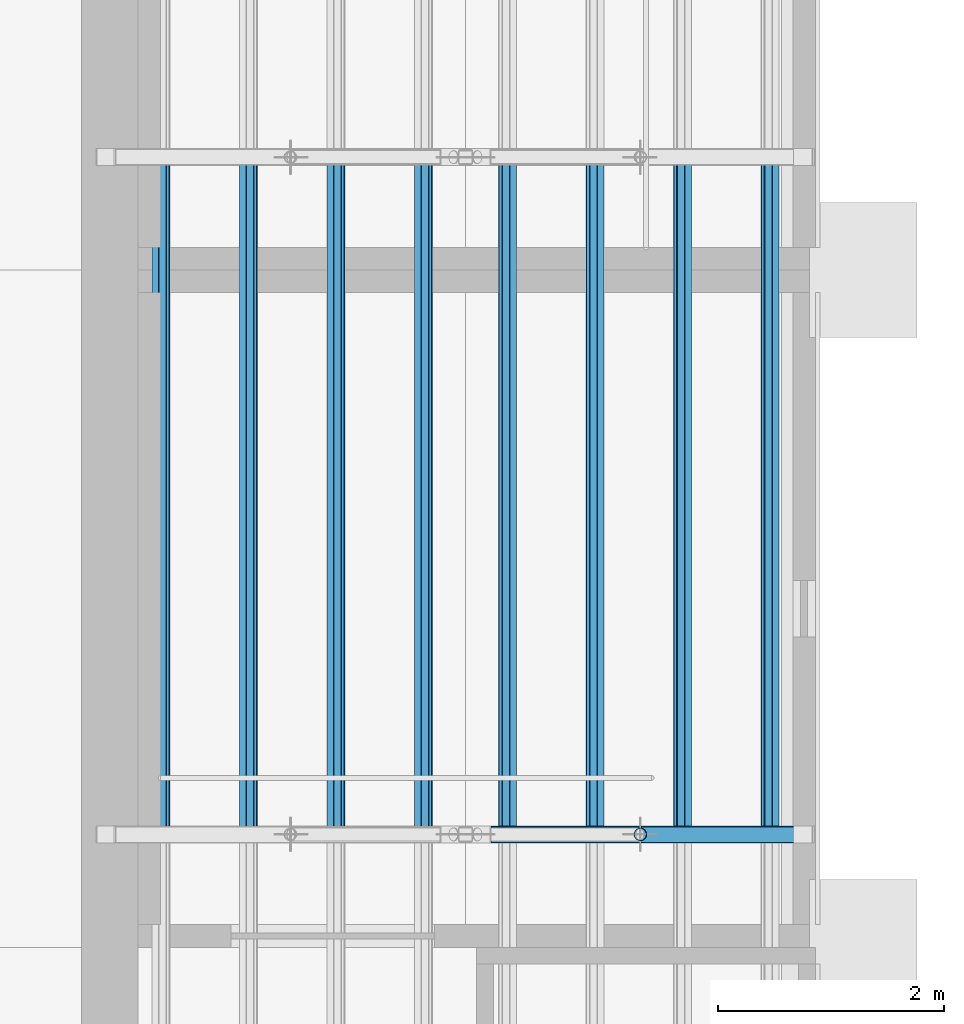
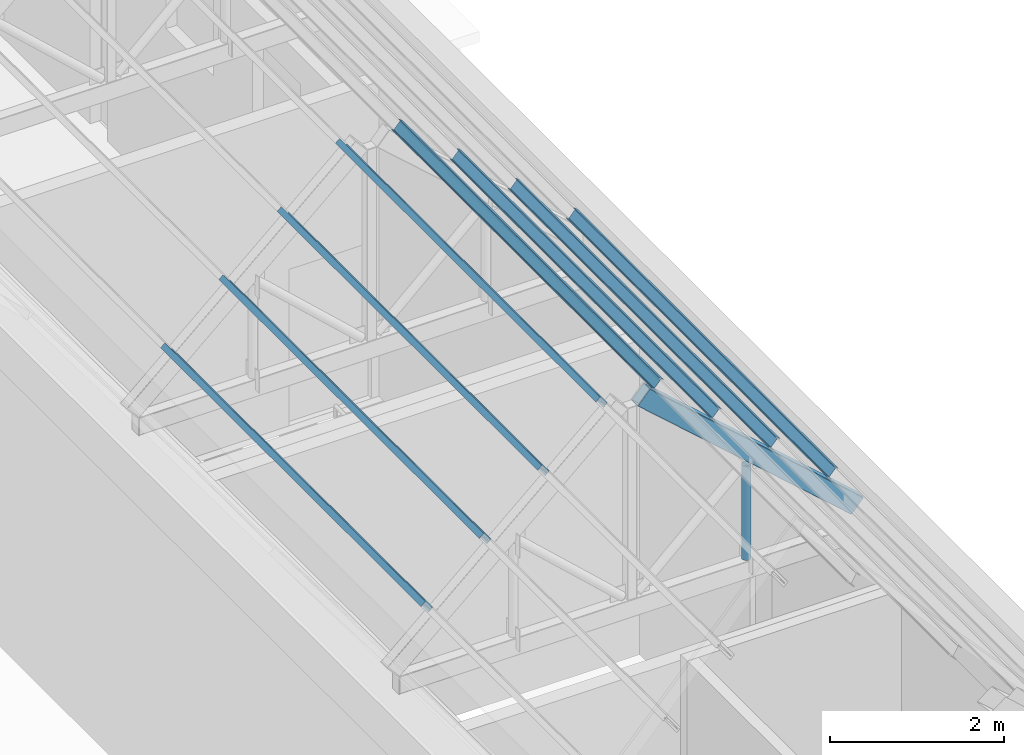
# One storey, part 34 of 118: 10 members.
"""IFC4 building model written with IfcOpenShell, lengths in metres."""

from ifc_helpers import new_model, si_unit, direction, frame, origin, origin_2d, place, context, subcontext, project, spatial, hollow_rectangle, hollow_circle, i_section, extrude, material, material_profile, profile_set, type_object, element, save


model = new_model("IFC4")

# Units and contexts
model_context = context("Model", 3, precision=1e-05, world=origin(), true_north=direction((0.0, 1.0)))
body_context = subcontext(model_context, "Body", "Model", "MODEL_VIEW")
ifc_project = project(units=[si_unit("LENGTHUNIT", "METRE"), si_unit("AREAUNIT", "SQUARE_METRE"), si_unit("VOLUMEUNIT", "CUBIC_METRE"), si_unit("PLANEANGLEUNIT", "RADIAN"), si_unit("MASSUNIT", "GRAM", prefix="KILO")], contexts=[model_context])

# Site, building, storey
site_placement = place(None, origin())
site = spatial("IfcSite", under=ifc_project, at=site_placement, CompositionType="ELEMENT")
building_placement = place(site_placement, origin())
building = spatial("IfcBuilding", under=site, at=building_placement, Name="Saffron Lane Theatres", CompositionType="ELEMENT")
storey_placement = place(building_placement, frame((0.0, 0.0, 16.5)))
storey = spatial("IfcBuildingStorey", under=building, at=storey_placement, Name="L03", CompositionType="ELEMENT", Elevation=16.5)

# Members
ifc_material_1 = material(Name="Steel Grade 350", Category="steel")
ifc_material_profile_1 = material_profile(ifc_material_1, i_section(OverallWidth=0.074951171875, OverallDepth=0.155029296875, WebThickness=0.006103515625, FlangeThickness=0.009521484375, FilletRadius=0.008056640625, at=origin_2d()))
ifc_profile_set_1 = profile_set([ifc_material_profile_1], Name="Steel Grade 350")
member_type_1 = type_object("IfcMemberType", Name="ST-STUDIO PURLIN 150UB18.0", PredefinedType="PURLIN", material=ifc_profile_set_1)
for number, where, z_axis, x_axis, name in (
    (1, (53.59716796875, 61.0, 5.544677734375), (0.0, 1.0, 0.0), (-0.748268687469, 0.0, 0.663395787863), "SB2-U58"),
    (2, (52.822265625, 61.0, 6.23193359375), (0.0, 1.0, 0.0), (-0.748268687469, 0.0, 0.663395787863), "SB2-U64"),
    (3, (52.04736328125, 61.0, 6.9189453125), (0.0, 1.0, 0.0), (-0.748268687469, 0.0, 0.663395787863), "SB2-U70"),
    (4, (51.272216796875, 61.0, 7.60595703125), (0.0, 1.0, 0.0), (-0.748268687469, 0.0, 0.663395787863), "SB2-U76"),
    (5, (48.20263671875, 61.0, 5.544677734375), (0.0, 1.0, 0.0), (-0.748268687469, 0.0, -0.663395787863), "SB2-U82"),
    (6, (48.977783203125, 61.0, 6.23193359375), (0.0, 1.0, 0.0), (-0.748268687469, 0.0, -0.663395787863), "SB2-U88"),
    (7, (49.752685546875, 61.0, 6.9189453125), (0.0, 1.0, 0.0), (-0.748268687469, 0.0, -0.663395787863), "SB2-U94"),
    (8, (50.52783203125, 61.0, 7.60595703125), (0.0, 1.0, 0.0), (-0.748268687469, 0.0, -0.663395787863), "SB2-U100"),
):
    element("IfcMember", number, at=place(storey_placement, frame(where, z_axis=z_axis, x_axis=x_axis)), inside=storey, type_object=member_type_1, Name=name, PredefinedType="PURLIN", context=body_context, shape_type="SweptSolid", body=[
        extrude(i_section(OverallWidth=0.074951171875, OverallDepth=0.155029296875, WebThickness=0.006103515625, FlangeThickness=0.009521484375, FilletRadius=0.008056640625, at=origin_2d()), origin(), (0.0, 0.0, 1.0), 6.0),
    ])
ifc_material_2 = material(Name="Steel Grade 350", Category="steel")
ifc_material_profile_2 = material_profile(ifc_material_2, hollow_rectangle(XDim=0.14990234375, YDim=0.25, WallThickness=0.009033203125, InnerFilletRadius=0.00439453125, OuterFilletRadius=0.013427734375, at=origin_2d()))
ifc_profile_set_2 = profile_set([ifc_material_profile_2], Name="Steel Grade 350")
member_type_2 = type_object("IfcMemberType", Name="ST-STUDIO TRUSS CHORD 250x150x9 RHS", PredefinedType="CHORD", material=ifc_profile_set_2)
member_1_placement = place(storey_placement, frame((53.886962890625, 61.0, 5.01708984375), z_axis=(-0.748231613734, 0.0, 0.663437602348), x_axis=(0.0, -1.0, 0.0)))
element("IfcMember", 9, at=member_1_placement, inside=storey, type_object=member_type_2, Name="SB2-C10", PredefinedType="CHORD", context=body_context, shape_type="SweptSolid", body=[
    extrude(hollow_rectangle(XDim=0.14990234375, YDim=0.25, WallThickness=0.009033203125, InnerFilletRadius=0.00439453125, OuterFilletRadius=0.013427734375, at=origin_2d()), origin(), (0.0, 0.0, 1.0), 3.797607421875),
])
ifc_material_3 = material(Name="Steel Grade 350", Category="steel")
ifc_material_profile_3 = material_profile(ifc_material_3, hollow_circle(Radius=0.05712890625, WallThickness=0.006103515625, at=origin_2d()))
ifc_profile_set_3 = profile_set([ifc_material_profile_3], Name="Steel Grade 350")
member_type_3 = type_object("IfcMemberType", Name="ST-STUDIO TRUSS WEB 114.3x6.0 CHS", PredefinedType="BRACE", material=ifc_profile_set_3)
member_2_placement = place(storey_placement, frame((52.449951171875, 61.0, 4.75), z_axis=(0.0, 0.0, 1.0), x_axis=(1.0, 0.0, 0.0)))
element("IfcMember", 10, at=member_2_placement, inside=storey, type_object=member_type_3, Name="SB2-W13", PredefinedType="BRACE", context=body_context, shape_type="SweptSolid", body=[
    extrude(hollow_circle(Radius=0.05712890625, WallThickness=0.006103515625, at=origin_2d()), origin(), (0.0, 0.0, 1.0), 1.323486328125),
])

save(model, "model.ifc")
